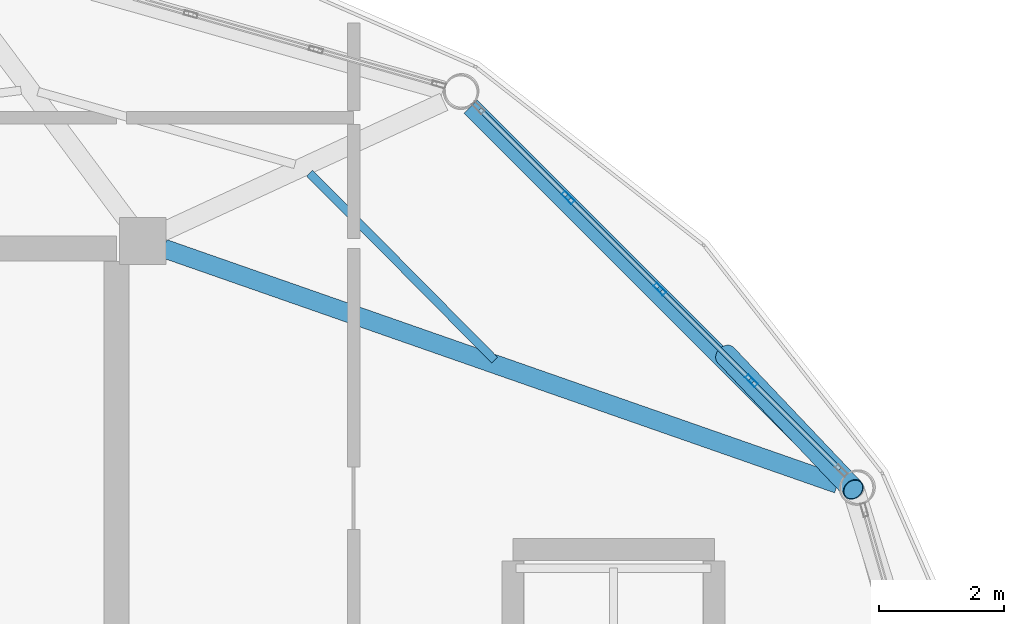
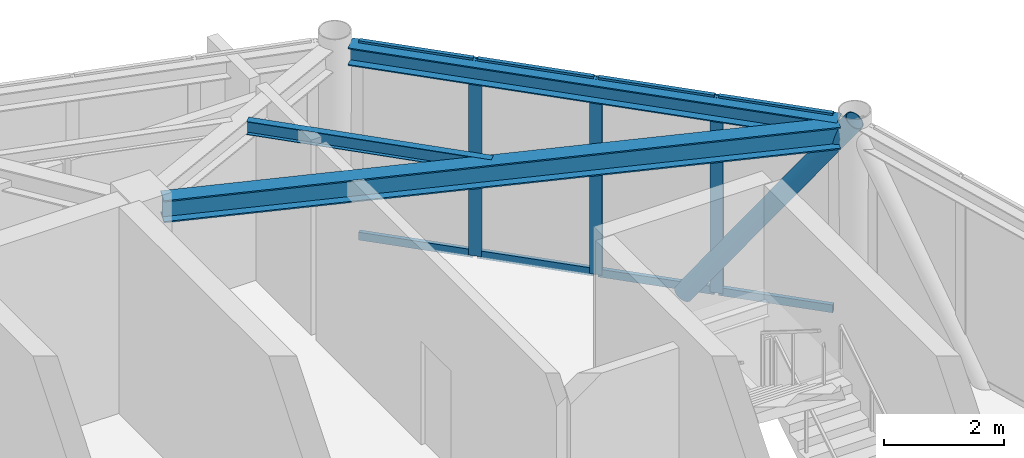
# One storey, part 11 of 20: 12 members, 3 beams, 1 element without a shape of its own.
"""IFC4 building model written with IfcOpenShell, lengths in metres."""

from ifc_helpers import new_model, si_unit, direction, frame, origin, origin_2d, place, context, subcontext, project, spatial, hollow_rectangle, hollow_circle, i_section, extrude, material, layer, layer_set, material_profile, profile_set, type_object, element, aggregate, save


model = new_model("IFC4")

# Units and contexts
model_context = context("Model", 3, precision=1e-05, world=origin(), true_north=direction((0.0, 1.0)))
body_context = subcontext(model_context, "Body", "Model", "MODEL_VIEW")
ifc_project = project(units=[si_unit("LENGTHUNIT", "METRE"), si_unit("AREAUNIT", "SQUARE_METRE"), si_unit("VOLUMEUNIT", "CUBIC_METRE"), si_unit("PLANEANGLEUNIT", "RADIAN"), si_unit("MASSUNIT", "GRAM", prefix="KILO")], contexts=[model_context])

# Site, building, storey
site_placement = place(None, origin())
site = spatial("IfcSite", under=ifc_project, at=site_placement, CompositionType="ELEMENT")
building_placement = place(site_placement, origin())
building = spatial("IfcBuilding", under=site, at=building_placement, Name="Varnakorn Sky Granary", CompositionType="ELEMENT")
storey_placement = place(building_placement, frame((0.0, 0.0, 302.39990234375)))
storey = spatial("IfcBuildingStorey", under=building, at=storey_placement, Name="L77", CompositionType="ELEMENT", Elevation=302.39990234375)

# Beams
ifc_material_1 = material(Name="Steel S355JR", Category="steel")
ifc_material_profile_1 = material_profile(ifc_material_1, i_section(OverallWidth=0.300048828125, OverallDepth=0.449951171875, WebThickness=0.013916015625, FlangeThickness=0.02587890625, at=origin_2d()), Name="HE 450 B")
ifc_profile_set_1 = profile_set([ifc_material_profile_1], Name="Steel S355JR")
beam_type_1 = type_object("IfcBeamType", Name="BM-RAD-Z5", PredefinedType="BEAM", material=ifc_profile_set_1)
beam_1_placement = place(storey_placement, frame((8.755126953125, 12.5029296875, 3.735107421875), z_axis=(0.943994637468, -0.329960792265, 0.0), x_axis=(0.329960792265, 0.943994637468, 0.0)))
element("IfcBeam", 1, at=beam_1_placement, inside=storey, type_object=beam_type_1, Name="Radial Floor Girder RG02 L77", PredefinedType="BEAM", context=body_context, shape_type="SweptSolid", body=[
    extrude(i_section(OverallWidth=0.300048828125, OverallDepth=0.449951171875, WebThickness=0.013916015625, FlangeThickness=0.02587890625, at=origin_2d()), origin(), (0.0, 0.0, 1.0), 11.444091796875),
])
ifc_material_profile_2 = material_profile(ifc_material_1, i_section(OverallWidth=0.135009765625, OverallDepth=0.27001953125, WebThickness=0.006591796875, FlangeThickness=0.01025390625, at=origin_2d()), Name="IPE 270")
ifc_profile_set_2 = profile_set([ifc_material_profile_2], Name="Steel S355JR")
beam_type_2 = type_object("IfcBeamType", Name="BM-SEC-Z5", PredefinedType="BEAM", material=ifc_profile_set_2)
beam_2_placement = place(storey_placement, frame((14.05810546875, 10.71435546875, 3.8251953125), z_axis=(-0.703362098036, 0.710831737506, 0.0), x_axis=(-0.710831737506, -0.703362098036, 0.0)))
element("IfcBeam", 2, at=beam_2_placement, inside=storey, type_object=beam_type_2, Name="Secondary Floor Chord Beam MSB02 L77", PredefinedType="BEAM", context=body_context, shape_type="SweptSolid", body=[
    extrude(i_section(OverallWidth=0.135009765625, OverallDepth=0.27001953125, WebThickness=0.006591796875, FlangeThickness=0.01025390625, at=origin_2d()), origin(), (0.0, 0.0, 1.0), 4.21630859375),
])
ifc_material_profile_3 = material_profile(ifc_material_1, i_section(OverallWidth=0.300048828125, OverallDepth=0.360107421875, WebThickness=0.012451171875, FlangeThickness=0.0224609375, at=origin_2d()), Name="HE 360 B")
ifc_profile_set_3 = profile_set([ifc_material_profile_3], Name="Steel S355JR")
beam_type_3 = type_object("IfcBeamType", Name="BM-SPD-Z5", PredefinedType="SPANDREL", material=ifc_profile_set_3)
beam_3_placement = place(storey_placement, frame((19.62109375, 8.82666015625, 3.780029296875), z_axis=(-0.706961677093, 0.70725185551, 0.0), x_axis=(-0.70725185551, -0.706961677093, 0.0)))
element("IfcBeam", 3, at=beam_3_placement, inside=storey, type_object=beam_type_3, Name="Perimeter Spandrel Ring Beam RB02 L77", PredefinedType="SPANDREL", context=body_context, shape_type="SweptSolid", body=[
    extrude(i_section(OverallWidth=0.300048828125, OverallDepth=0.360107421875, WebThickness=0.012451171875, FlangeThickness=0.0224609375, at=origin_2d()), origin(), (0.0, 0.0, 1.0), 8.41357421875),
])

# Curtain wall, members
ifc_material_2 = material(Name="Anodised Bronze Aluminium Alloy 6063-T6", Category="aluminium")
ifc_layer = layer(ifc_material_2, 0.22998046875, Name="Anodised Bronze Aluminium Alloy 6063-T6")
ifc_layer_set = layer_set([ifc_layer], Name="Anodised Bronze Aluminium Alloy 6063-T6")
curtain_wall_type = type_object("IfcCurtainWallType", Name="CW-LNT-1", PredefinedType="USERDEFINED", material=ifc_layer_set)
curtain_wall_placement = place(storey_placement, origin())
curtain_wall = element("IfcCurtainWall", 4, at=curtain_wall_placement, inside=storey, type_object=curtain_wall_type, Name="Unitised Curtain Wall CW7 CW-L77-B02", ObjectType="CURTAIN WALL", PredefinedType="USERDEFINED")
ifc_material_profile_4 = material_profile(ifc_material_2, hollow_rectangle(XDim=0.074951171875, YDim=0.219970703125, WallThickness=0.00390625, at=origin_2d()), Name="ALU MULL 75x220")
ifc_profile_set_4 = profile_set([ifc_material_profile_4], Name="Anodised Bronze Aluminium Alloy 6063-T6")
member_type_1 = type_object("IfcMemberType", Name="CW-LNT-1-MULL", PredefinedType="MULLION", material=ifc_profile_set_4)
member_1_placement = place(storey_placement, frame((15.2373046875, 13.318603515625, 0.0), z_axis=(0.0, 0.0, 1.0), x_axis=(0.706962264777, 0.707251268066, 0.0)))
member_1 = element("IfcMember", 5, at=member_1_placement, type_object=member_type_1, Name="CW7 mullion 2", PredefinedType="MULLION", context=body_context, shape_type="SweptSolid", body=[
    extrude(hollow_rectangle(XDim=0.074951171875, YDim=0.219970703125, WallThickness=0.00390625, at=origin_2d()), origin(), (0.0, 0.0, 1.0), 3.960205078125),
])
member_2_placement = place(storey_placement, frame((16.705810546875, 11.850830078125, 0.0), z_axis=(0.0, 0.0, 1.0), x_axis=(0.706962264777, 0.707251268066, 0.0)))
member_2 = element("IfcMember", 6, at=member_2_placement, type_object=member_type_1, Name="CW7 mullion 3", PredefinedType="MULLION", context=body_context, shape_type="SweptSolid", body=[
    extrude(hollow_rectangle(XDim=0.074951171875, YDim=0.219970703125, WallThickness=0.00390625, at=origin_2d()), origin(), (0.0, 0.0, 1.0), 3.960205078125),
])
member_3_placement = place(storey_placement, frame((18.174072265625, 10.38330078125, 0.0), z_axis=(0.0, 0.0, 1.0), x_axis=(0.706962264777, 0.707251268066, 0.0)))
member_3 = element("IfcMember", 7, at=member_3_placement, type_object=member_type_1, Name="CW7 mullion 4", PredefinedType="MULLION", context=body_context, shape_type="SweptSolid", body=[
    extrude(hollow_rectangle(XDim=0.074951171875, YDim=0.219970703125, WallThickness=0.00390625, at=origin_2d()), origin(), (0.0, 0.0, 1.0), 3.960205078125),
])
ifc_material_profile_5 = material_profile(ifc_material_2, hollow_rectangle(XDim=0.074951171875, YDim=0.159912109375, WallThickness=0.00390625, at=origin_2d()), Name="ALU TRAN 75x160")
ifc_profile_set_5 = profile_set([ifc_material_profile_5], Name="Anodised Bronze Aluminium Alloy 6063-T6")
member_type_2 = type_object("IfcMemberType", Name="CW-LNT-1-TRAN", PredefinedType="USERDEFINED", material=ifc_profile_set_5)
member_4_placement = place(storey_placement, frame((13.822265625, 14.7333984375, 0.03759765625), z_axis=(0.707231107651, -0.706982432859, 0.0), x_axis=(0.706982432859, 0.707231107651, 0.0)))
member_4 = element("IfcMember", 8, at=member_4_placement, type_object=member_type_2, Name="CW7 transom 1.1", ObjectType="TRANSOM", PredefinedType="USERDEFINED", context=body_context, shape_type="SweptSolid", body=[
    extrude(hollow_rectangle(XDim=0.074951171875, YDim=0.159912109375, WallThickness=0.00390625, at=origin_2d()), origin(), (0.0, 0.0, 1.0), 1.963623046875),
])
member_5_placement = place(storey_placement, frame((13.822265625, 14.7333984375, 3.922607421875), z_axis=(0.707231107651, -0.706982432859, 0.0), x_axis=(0.706982432859, 0.707231107651, 0.0)))
member_5 = element("IfcMember", 9, at=member_5_placement, type_object=member_type_2, Name="CW7 transom 1.2", ObjectType="TRANSOM", PredefinedType="USERDEFINED", context=body_context, shape_type="SweptSolid", body=[
    extrude(hollow_rectangle(XDim=0.074951171875, YDim=0.159912109375, WallThickness=0.00390625, at=origin_2d()), origin(), (0.0, 0.0, 1.0), 1.963623046875),
])
member_6_placement = place(storey_placement, frame((15.263916015625, 13.292236328125, 0.03759765625), z_axis=(0.70722876976, -0.706984771564, 0.0), x_axis=(0.706984771564, 0.70722876976, 0.0)))
member_6 = element("IfcMember", 10, at=member_6_placement, type_object=member_type_2, Name="CW7 transom 2.1", ObjectType="TRANSOM", PredefinedType="USERDEFINED", context=body_context, shape_type="SweptSolid", body=[
    extrude(hollow_rectangle(XDim=0.074951171875, YDim=0.159912109375, WallThickness=0.00390625, at=origin_2d()), origin(), (0.0, 0.0, 1.0), 2.001220703125),
])
member_7_placement = place(storey_placement, frame((15.263916015625, 13.292236328125, 3.922607421875), z_axis=(0.70722876976, -0.706984771564, 0.0), x_axis=(0.706984771564, 0.70722876976, 0.0)))
member_7 = element("IfcMember", 11, at=member_7_placement, type_object=member_type_2, Name="CW7 transom 2.2", ObjectType="TRANSOM", PredefinedType="USERDEFINED", context=body_context, shape_type="SweptSolid", body=[
    extrude(hollow_rectangle(XDim=0.074951171875, YDim=0.159912109375, WallThickness=0.00390625, at=origin_2d()), origin(), (0.0, 0.0, 1.0), 2.001220703125),
])
member_8_placement = place(storey_placement, frame((16.732177734375, 11.824462890625, 0.03759765625), z_axis=(0.70722876976, -0.706984771564, 0.0), x_axis=(0.706984771564, 0.70722876976, 0.0)))
member_8 = element("IfcMember", 12, at=member_8_placement, type_object=member_type_2, Name="CW7 transom 3.1", ObjectType="TRANSOM", PredefinedType="USERDEFINED", context=body_context, shape_type="SweptSolid", body=[
    extrude(hollow_rectangle(XDim=0.074951171875, YDim=0.159912109375, WallThickness=0.00390625, at=origin_2d()), origin(), (0.0, 0.0, 1.0), 2.001220703125),
])
member_9_placement = place(storey_placement, frame((16.732177734375, 11.824462890625, 3.922607421875), z_axis=(0.70722876976, -0.706984771564, 0.0), x_axis=(0.706984771564, 0.70722876976, 0.0)))
member_9 = element("IfcMember", 13, at=member_9_placement, type_object=member_type_2, Name="CW7 transom 3.2", ObjectType="TRANSOM", PredefinedType="USERDEFINED", context=body_context, shape_type="SweptSolid", body=[
    extrude(hollow_rectangle(XDim=0.074951171875, YDim=0.159912109375, WallThickness=0.00390625, at=origin_2d()), origin(), (0.0, 0.0, 1.0), 2.001220703125),
])
member_10_placement = place(storey_placement, frame((18.20068359375, 10.356689453125, 0.03759765625), z_axis=(0.707231107651, -0.706982432859, 0.0), x_axis=(0.706982432859, 0.707231107651, 0.0)))
member_10 = element("IfcMember", 14, at=member_10_placement, type_object=member_type_2, Name="CW7 transom 4.1", ObjectType="TRANSOM", PredefinedType="USERDEFINED", context=body_context, shape_type="SweptSolid", body=[
    extrude(hollow_rectangle(XDim=0.074951171875, YDim=0.159912109375, WallThickness=0.00390625, at=origin_2d()), origin(), (0.0, 0.0, 1.0), 1.963623046875),
])
member_11_placement = place(storey_placement, frame((18.20068359375, 10.356689453125, 3.922607421875), z_axis=(0.707231107651, -0.706982432859, 0.0), x_axis=(0.706982432859, 0.707231107651, 0.0)))
member_11 = element("IfcMember", 15, at=member_11_placement, type_object=member_type_2, Name="CW7 transom 4.2", ObjectType="TRANSOM", PredefinedType="USERDEFINED", context=body_context, shape_type="SweptSolid", body=[
    extrude(hollow_rectangle(XDim=0.074951171875, YDim=0.159912109375, WallThickness=0.00390625, at=origin_2d()), origin(), (0.0, 0.0, 1.0), 1.963623046875),
])
aggregate(curtain_wall, [member_1, member_2, member_3, member_4, member_5, member_6, member_7, member_8, member_9, member_10, member_11])

# Member
ifc_material_3 = material(Name="Steel S460M", Category="steel")
ifc_material_profile_6 = material_profile(ifc_material_3, hollow_circle(Radius=0.177734375, WallThickness=0.01416015625, at=origin_2d()), Name="CHS 355.6x14")
ifc_profile_set_6 = profile_set([ifc_material_profile_6], Name="Steel S460M")
member_type_3 = type_object("IfcMemberType", Name="MB-DIAG-T5", PredefinedType="BRACE", material=ifc_profile_set_6)
member_12_placement = place(storey_placement, frame((17.7646484375, 10.79248046875, -0.1298828125), z_axis=(0.404345622665, -0.42603632572, 0.809319261231), x_axis=(0.725329956346, 0.688401375963, 0.0)))
element("IfcMember", 16, at=member_12_placement, inside=storey, type_object=member_type_3, Name="Perimeter CHS Diagrid Brace DG02 L77", PredefinedType="BRACE", context=body_context, shape_type="SweptSolid", body=[
    extrude(hollow_circle(Radius=0.177734375, WallThickness=0.01416015625, at=origin_2d()), origin(), (0.0, 0.0, 1.0), 5.0537109375),
])

save(model, "model.ifc")
